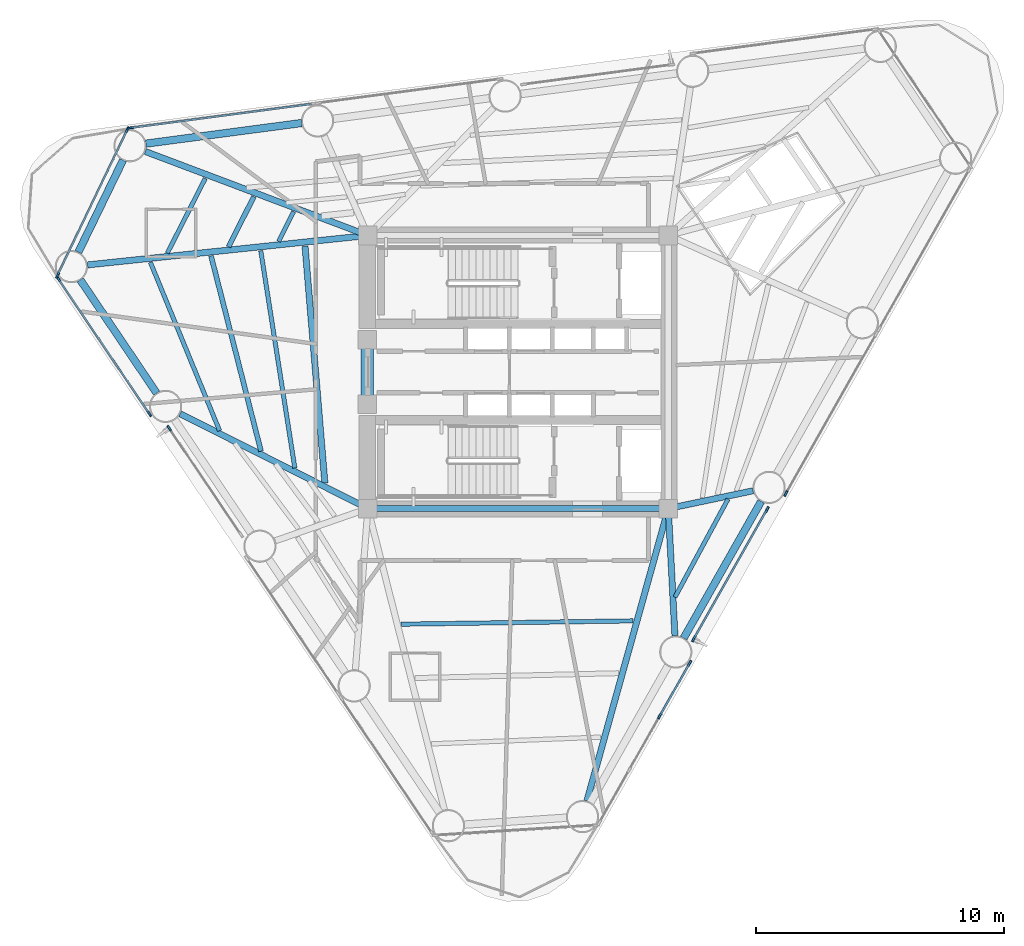
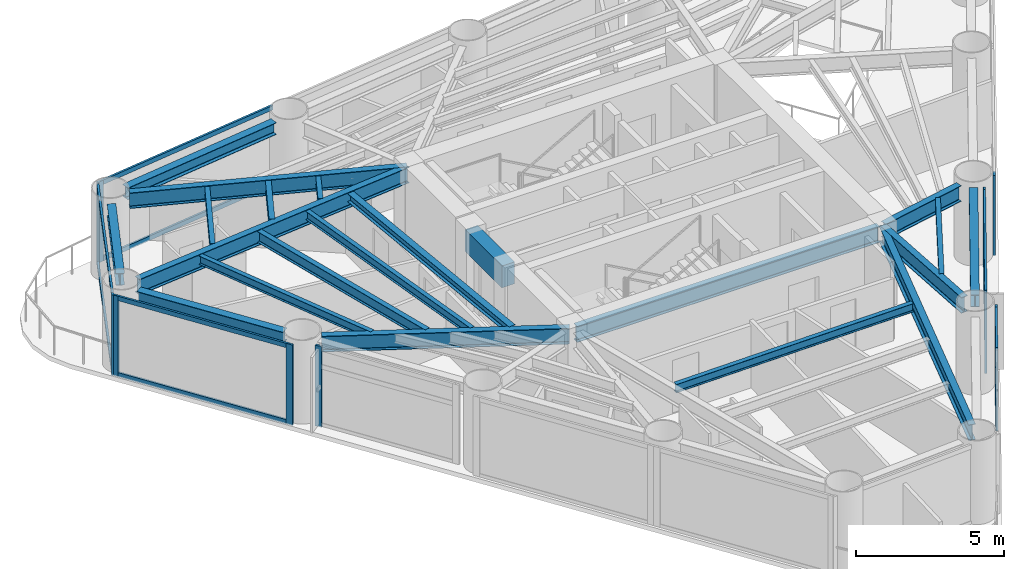
# One storey, part 2 of 10: 23 members, 21 beams, 7 elements without a shape of their own.
"""IFC4 building model written with IfcOpenShell, lengths in metres."""

from ifc_helpers import new_model, si_unit, direction, frame, origin, origin_2d, place, context, subcontext, project, spatial, rectangle, i_section, extrude, source, transform, mapped, material, layer, layer_set, material_profile, profile_set, type_object, element, aggregate, save


model = new_model("IFC4")

# Units and contexts
model_context = context("Model", 3, precision=1e-05, world=origin(), true_north=direction((0.0, 1.0)))
body_context = subcontext(model_context, "Body", "Model", "MODEL_VIEW")
ifc_project = project(units=[si_unit("LENGTHUNIT", "METRE"), si_unit("AREAUNIT", "SQUARE_METRE"), si_unit("VOLUMEUNIT", "CUBIC_METRE"), si_unit("PLANEANGLEUNIT", "RADIAN"), si_unit("MASSUNIT", "GRAM", prefix="KILO")], contexts=[model_context])

# Site, building, storey
site_placement = place(None, origin())
site = spatial("IfcSite", under=ifc_project, at=site_placement, CompositionType="ELEMENT")
building_placement = place(site_placement, origin())
building = spatial("IfcBuilding", under=site, at=building_placement, Name="Yunling Apex Tower", CompositionType="ELEMENT")
storey_placement = place(building_placement, frame((0.0, 0.0, 182.89990234375)))
storey = spatial("IfcBuildingStorey", under=building, at=storey_placement, Name="L45", CompositionType="ELEMENT", Elevation=182.89990234375)

# Beams
ifc_material_1 = material(Name="Concrete C50", Category="concrete")
ifc_material_profile_1 = material_profile(ifc_material_1, rectangle(XDim=0.5, YDim=0.89990234375, at=origin_2d()))
ifc_profile_set_1 = profile_set([ifc_material_profile_1], Name="Concrete C50")
beam_type_1 = type_object("IfcBeamType", Name="BC-CPL-2", PredefinedType="BEAM", material=ifc_profile_set_1)
shared_shape_1 = source(origin(), body_context, "Body", "SweptSolid", [
    extrude(rectangle(XDim=0.5, YDim=0.89990234375, at=origin_2d()), origin(), (0.0, 0.0, 1.0), 2.5),
])
beam_1_placement = place(storey_placement, frame((-6.074951171875, -1.25, 2.780029296875), z_axis=(0.0, 1.0, 0.0), x_axis=(-1.0, 0.0, 0.0)))
element("IfcBeam", 1, at=beam_1_placement, inside=storey, type_object=beam_type_1, Name="L45 Core West Portal Coupling Beam", PredefinedType="BEAM", context=body_context, shape_type="MappedRepresentation", body=[
    mapped(shared_shape_1, transform((0.0, 0.0, 0.0), scale=1.0)),
])
ifc_material_2 = material(Name="Steel Q355B", Category="steel")
ifc_material_profile_2 = material_profile(ifc_material_2, i_section(OverallWidth=0.25, OverallDepth=0.64990234375, WebThickness=0.011962890625, FlangeThickness=0.02001953125, FilletRadius=0.02392578125, at=origin_2d()))
ifc_profile_set_2 = profile_set([ifc_material_profile_2], Name="Steel Q355B")
beam_type_2 = type_object("IfcBeamType", Name="BG-PRI-4", PredefinedType="USERDEFINED", material=ifc_profile_set_2)
shared_shape_2 = source(origin(), body_context, "Body", "SweptSolid", [
    extrude(i_section(OverallWidth=0.25, OverallDepth=0.64990234375, WebThickness=0.011962890625, FlangeThickness=0.02001953125, FilletRadius=0.02392578125, at=origin_2d()), origin(), (0.0, 0.0, 1.0), 11.7998046875),
])
beam_2_placement = place(storey_placement, frame((-5.89990234375, -5.5, 2.905029296875), z_axis=(1.0, 0.0, 0.0), x_axis=(0.0, 1.0, 0.0)))
element("IfcBeam", 2, at=beam_2_placement, inside=storey, type_object=beam_type_2, Name="L45 Core Ring Tie Beam 1", ObjectType="GIRDER", PredefinedType="USERDEFINED", context=body_context, shape_type="MappedRepresentation", body=[
    mapped(shared_shape_2, transform((0.0, 0.0, 0.0), scale=1.0)),
])
ifc_material_profile_3 = material_profile(ifc_material_2, i_section(OverallWidth=0.300048828125, OverallDepth=0.489990234375, WebThickness=0.010986328125, FlangeThickness=0.01806640625, FilletRadius=0.02197265625, at=origin_2d()))
ifc_profile_set_3 = profile_set([ifc_material_profile_3], Name="Steel Q355B")
beam_type_3 = type_object("IfcBeamType", Name="BP-SPN-2", PredefinedType="SPANDREL", material=ifc_profile_set_3)
shared_shape_3 = source(origin(), body_context, "Body", "SweptSolid", [
    extrude(i_section(OverallWidth=0.300048828125, OverallDepth=0.489990234375, WebThickness=0.010986328125, FlangeThickness=0.01806640625, FilletRadius=0.02197265625, at=origin_2d()), origin(), (0.0, 0.0, 1.0), 6.33251953125),
])
for number, where, z_axis, x_axis, name in (
    (3, (6.66943359375, -10.717529296875, 2.985107421875), (0.493030081742, 0.870012263418, 0.0), (-0.870012263418, 0.493030081742, 0.0), "L45 Perimeter Spandrel Beam 2"),
    (4, (-8.715576171875, 10.02978515625, 2.985107421875), (-0.991351373324, -0.131234349957, 0.0), (0.131234349957, -0.991351373324, 0.0), "L45 Perimeter Spandrel Beam 9"),
):
    element("IfcBeam", number, at=place(storey_placement, frame(where, z_axis=z_axis, x_axis=x_axis)), inside=storey, type_object=beam_type_3, Name=name, PredefinedType="SPANDREL", context=body_context, shape_type="MappedRepresentation", body=[
        mapped(shared_shape_3, transform((0.0, 0.0, 0.0), scale=1.0)),
    ])
shared_shape_4 = source(origin(), body_context, "Body", "SweptSolid", [
    extrude(i_section(OverallWidth=0.300048828125, OverallDepth=0.489990234375, WebThickness=0.010986328125, FlangeThickness=0.01806640625, FilletRadius=0.02197265625, at=origin_2d()), origin(), (0.0, 0.0, 1.0), 4.1240234375),
])
beam_3_placement = place(storey_placement, frame((-15.9130859375, 8.534912109375, 2.985107421875), z_axis=(-0.436645295051, -0.899633751206, 0.0), x_axis=(0.899633751206, -0.436645295051, 0.0)))
element("IfcBeam", 5, at=beam_3_placement, inside=storey, type_object=beam_type_3, Name="L45 Perimeter Spandrel Beam 10", PredefinedType="SPANDREL", context=body_context, shape_type="MappedRepresentation", body=[
    mapped(shared_shape_4, transform((0.0, 0.0, 0.0), scale=1.0)),
])
shared_shape_5 = source(origin(), body_context, "Body", "SweptSolid", [
    extrude(i_section(OverallWidth=0.300048828125, OverallDepth=0.489990234375, WebThickness=0.010986328125, FlangeThickness=0.01806640625, FilletRadius=0.02197265625, at=origin_2d()), origin(), (0.0, 0.0, 1.0), 5.5029296875),
])
beam_4_placement = place(storey_placement, frame((-17.635009765625, 3.711181640625, 2.985107421875), z_axis=(0.559227477119, -0.829014251286, 0.0), x_axis=(0.829014251286, 0.559227477119, 0.0)))
element("IfcBeam", 6, at=beam_4_placement, inside=storey, type_object=beam_type_3, Name="L45 Perimeter Spandrel Beam 11", PredefinedType="SPANDREL", context=body_context, shape_type="MappedRepresentation", body=[
    mapped(shared_shape_5, transform((0.0, 0.0, 0.0), scale=1.0)),
])
shared_shape_6 = source(origin(), body_context, "Body", "SweptSolid", [
    extrude(i_section(OverallWidth=0.25, OverallDepth=0.64990234375, WebThickness=0.011962890625, FlangeThickness=0.02001953125, FilletRadius=0.02392578125, at=origin_2d()), origin(), (0.0, 0.0, 1.0), 12.141845703125),
])
beam_5_placement = place(storey_placement, frame((2.771240234375, -17.27392578125, 2.905029296875), z_axis=(0.268272262363, 0.9633431337, 0.0), x_axis=(-0.9633431337, 0.268272262363, 0.0)))
element("IfcBeam", 7, at=beam_5_placement, inside=storey, type_object=beam_type_2, Name="L45 Radial Primary Girder R01", ObjectType="GIRDER", PredefinedType="USERDEFINED", context=body_context, shape_type="MappedRepresentation", body=[
    mapped(shared_shape_6, transform((0.0, 0.0, 0.0), scale=1.0)),
])
shared_shape_7 = source(origin(), body_context, "Body", "SweptSolid", [
    extrude(i_section(OverallWidth=0.25, OverallDepth=0.64990234375, WebThickness=0.011962890625, FlangeThickness=0.02001953125, FilletRadius=0.02392578125, at=origin_2d()), origin(), (0.0, 0.0, 1.0), 5.0478515625),
])
beam_6_placement = place(storey_placement, frame((6.317626953125, -10.620849609375, 2.905029296875), z_axis=(-0.052185671931, 0.998637399482, 0.0), x_axis=(-0.998637399482, -0.052185671931, 0.0)))
element("IfcBeam", 8, at=beam_6_placement, inside=storey, type_object=beam_type_2, Name="L45 Radial Primary Girder R02", ObjectType="GIRDER", PredefinedType="USERDEFINED", context=body_context, shape_type="MappedRepresentation", body=[
    mapped(shared_shape_7, transform((0.0, 0.0, 0.0), scale=1.0)),
])
shared_shape_8 = source(origin(), body_context, "Body", "SweptSolid", [
    extrude(i_section(OverallWidth=0.25, OverallDepth=0.64990234375, WebThickness=0.011962890625, FlangeThickness=0.02001953125, FilletRadius=0.02392578125, at=origin_2d()), origin(), (0.0, 0.0, 1.0), 3.409423828125),
])
beam_7_placement = place(storey_placement, frame((9.465087890625, -4.783203125, 2.905029296875), z_axis=(-0.978668904593, -0.205443849219, 0.0), x_axis=(0.205443849219, -0.978668904593, 0.0)))
element("IfcBeam", 9, at=beam_7_placement, inside=storey, type_object=beam_type_2, Name="L45 Radial Primary Girder R03", ObjectType="GIRDER", PredefinedType="USERDEFINED", context=body_context, shape_type="MappedRepresentation", body=[
    mapped(shared_shape_8, transform((0.0, 0.0, 0.0), scale=1.0)),
])
shared_shape_9 = source(origin(), body_context, "Body", "SweptSolid", [
    extrude(i_section(OverallWidth=0.25, OverallDepth=0.64990234375, WebThickness=0.011962890625, FlangeThickness=0.02001953125, FilletRadius=0.02392578125, at=origin_2d()), origin(), (0.0, 0.0, 1.0), 9.502685546875),
])
beam_8_placement = place(storey_placement, frame((-15.01611328125, 8.882080078125, 2.905029296875), z_axis=(0.935649587533, -0.352930374648, 0.0), x_axis=(0.352930374648, 0.935649587533, 0.0)))
element("IfcBeam", 10, at=beam_8_placement, inside=storey, type_object=beam_type_2, Name="L45 Radial Primary Girder R10", ObjectType="GIRDER", PredefinedType="USERDEFINED", context=body_context, shape_type="MappedRepresentation", body=[
    mapped(shared_shape_9, transform((0.0, 0.0, 0.0), scale=1.0)),
])
shared_shape_10 = source(origin(), body_context, "Body", "SweptSolid", [
    extrude(i_section(OverallWidth=0.25, OverallDepth=0.64990234375, WebThickness=0.011962890625, FlangeThickness=0.02001953125, FilletRadius=0.02392578125, at=origin_2d()), origin(), (0.0, 0.0, 1.0), 11.272705078125),
])
beam_9_placement = place(storey_placement, frame((-17.340576171875, 4.31396484375, 2.905029296875), z_axis=(0.99452726712, 0.104477341825, 0.0), x_axis=(-0.104477341825, 0.99452726712, 0.0)))
element("IfcBeam", 11, at=beam_9_placement, inside=storey, type_object=beam_type_2, Name="L45 Radial Primary Girder R11", ObjectType="GIRDER", PredefinedType="USERDEFINED", context=body_context, shape_type="MappedRepresentation", body=[
    mapped(shared_shape_10, transform((0.0, 0.0, 0.0), scale=1.0)),
])
shared_shape_11 = source(origin(), body_context, "Body", "SweptSolid", [
    extrude(i_section(OverallWidth=0.25, OverallDepth=0.64990234375, WebThickness=0.011962890625, FlangeThickness=0.02001953125, FilletRadius=0.02392578125, at=origin_2d()), origin(), (0.0, 0.0, 1.0), 8.389892578125),
])
beam_10_placement = place(storey_placement, frame((-13.610107421875, -1.681396484375, 2.905029296875), z_axis=(0.892603997322, -0.450841550841, 0.0), x_axis=(0.450841550841, 0.892603997322, 0.0)))
element("IfcBeam", 12, at=beam_10_placement, inside=storey, type_object=beam_type_2, Name="L45 Radial Primary Girder R12", ObjectType="GIRDER", PredefinedType="USERDEFINED", context=body_context, shape_type="MappedRepresentation", body=[
    mapped(shared_shape_11, transform((0.0, 0.0, 0.0), scale=1.0)),
])
ifc_material_profile_4 = material_profile(ifc_material_2, i_section(OverallWidth=0.175048828125, OverallDepth=0.35009765625, WebThickness=0.007080078125, FlangeThickness=0.010986328125, FilletRadius=0.013916015625, at=origin_2d()))
ifc_profile_set_4 = profile_set([ifc_material_profile_4], Name="Steel Q355B")
beam_type_4 = type_object("IfcBeamType", Name="BJ-JST-1", PredefinedType="JOIST", material=ifc_profile_set_4)
shared_shape_12 = source(origin(), body_context, "Body", "SweptSolid", [
    extrude(i_section(OverallWidth=0.175048828125, OverallDepth=0.35009765625, WebThickness=0.007080078125, FlangeThickness=0.010986328125, FilletRadius=0.013916015625, at=origin_2d()), origin(), (0.0, 0.0, 1.0), 4.488525390625),
])
beam_11_placement = place(storey_placement, frame((6.31982421875, -9.068603515625, 3.05517578125), z_axis=(0.475594391265, 0.87966469464, 0.0), x_axis=(-0.87966469464, 0.475594391265, 0.0)))
element("IfcBeam", 13, at=beam_11_placement, inside=storey, type_object=beam_type_4, Name="L45 Composite Floor Joist BJ1-2", PredefinedType="JOIST", context=body_context, shape_type="MappedRepresentation", body=[
    mapped(shared_shape_12, transform((0.0, 0.0, 0.0), scale=1.0)),
])
ifc_material_profile_5 = material_profile(ifc_material_2, i_section(OverallWidth=0.199951171875, OverallDepth=0.449951171875, WebThickness=0.009033203125, FlangeThickness=0.013916015625, FilletRadius=0.01806640625, at=origin_2d()))
ifc_profile_set_5 = profile_set([ifc_material_profile_5], Name="Steel Q355B")
beam_type_5 = type_object("IfcBeamType", Name="BS-SEC-3", PredefinedType="BEAM", material=ifc_profile_set_5)
shared_shape_13 = source(origin(), body_context, "Body", "SweptSolid", [
    extrude(i_section(OverallWidth=0.199951171875, OverallDepth=0.449951171875, WebThickness=0.009033203125, FlangeThickness=0.013916015625, FilletRadius=0.01806640625, at=origin_2d()), origin(), (0.0, 0.0, 1.0), 2.260498046875),
])
beam_12_placement = place(storey_placement, frame((-10.642578125, 7.0625, 3.005126953125), z_axis=(-0.451356210078, -0.892343864003, 0.0), x_axis=(0.892343864003, -0.451356210078, 0.0)))
element("IfcBeam", 14, at=beam_12_placement, inside=storey, type_object=beam_type_5, Name="L45 Composite Floor Beam BS-10", PredefinedType="BEAM", context=body_context, shape_type="MappedRepresentation", body=[
    mapped(shared_shape_13, transform((0.0, 0.0, 0.0), scale=1.0)),
])
shared_shape_14 = source(origin(), body_context, "Body", "SweptSolid", [
    extrude(i_section(OverallWidth=0.175048828125, OverallDepth=0.35009765625, WebThickness=0.007080078125, FlangeThickness=0.010986328125, FilletRadius=0.013916015625, at=origin_2d()), origin(), (0.0, 0.0, 1.0), 3.380126953125),
])
beam_13_placement = place(storey_placement, frame((-12.59912109375, 7.80029296875, 3.05517578125), z_axis=(-0.452665854376, -0.891680225351, 0.0), x_axis=(0.891680225351, -0.452665854376, 0.0)))
element("IfcBeam", 15, at=beam_13_placement, inside=storey, type_object=beam_type_4, Name="L45 Composite Floor Joist BJ1-10", PredefinedType="JOIST", context=body_context, shape_type="MappedRepresentation", body=[
    mapped(shared_shape_14, transform((0.0, 0.0, 0.0), scale=1.0)),
])
shared_shape_15 = source(origin(), body_context, "Body", "SweptSolid", [
    extrude(i_section(OverallWidth=0.175048828125, OverallDepth=0.35009765625, WebThickness=0.007080078125, FlangeThickness=0.010986328125, FilletRadius=0.013916015625, at=origin_2d()), origin(), (0.0, 0.0, 1.0), 1.34375),
])
beam_14_placement = place(storey_placement, frame((-9.0419921875, 6.45849609375, 3.05517578125), z_axis=(-0.448956972961, -0.893553376374, 0.0), x_axis=(0.893553376374, -0.448956972961, 0.0)))
element("IfcBeam", 16, at=beam_14_placement, inside=storey, type_object=beam_type_4, Name="L45 Composite Floor Joist BJ3-10", PredefinedType="JOIST", context=body_context, shape_type="MappedRepresentation", body=[
    mapped(shared_shape_15, transform((0.0, 0.0, 0.0), scale=1.0)),
])
shared_shape_16 = source(origin(), body_context, "Body", "SweptSolid", [
    extrude(i_section(OverallWidth=0.199951171875, OverallDepth=0.449951171875, WebThickness=0.009033203125, FlangeThickness=0.013916015625, FilletRadius=0.01806640625, at=origin_2d()), origin(), (0.0, 0.0, 1.0), 8.121337890625),
])
beam_15_placement = place(storey_placement, frame((-12.3681640625, 4.677001953125, 3.005126953125), z_axis=(0.247914612688, -0.968781887122, 0.0), x_axis=(0.968781887122, 0.247914612688, 0.0)))
element("IfcBeam", 17, at=beam_15_placement, inside=storey, type_object=beam_type_5, Name="L45 Composite Floor Beam BS-11", PredefinedType="BEAM", context=body_context, shape_type="MappedRepresentation", body=[
    mapped(shared_shape_16, transform((0.0, 0.0, 0.0), scale=1.0)),
])
shared_shape_17 = source(origin(), body_context, "Body", "SweptSolid", [
    extrude(i_section(OverallWidth=0.175048828125, OverallDepth=0.35009765625, WebThickness=0.007080078125, FlangeThickness=0.010986328125, FilletRadius=0.013916015625, at=origin_2d()), origin(), (0.0, 0.0, 1.0), 7.34130859375),
])
beam_16_placement = place(storey_placement, frame((-14.8134765625, 4.425048828125, 3.05517578125), z_axis=(0.380043851262, -0.924968470337, 0.0), x_axis=(0.924968470337, 0.380043851262, 0.0)))
element("IfcBeam", 18, at=beam_16_placement, inside=storey, type_object=beam_type_4, Name="L45 Composite Floor Joist BJ1-11", PredefinedType="JOIST", context=body_context, shape_type="MappedRepresentation", body=[
    mapped(shared_shape_17, transform((0.0, 0.0, 0.0), scale=1.0)),
])
shared_shape_18 = source(origin(), body_context, "Body", "SweptSolid", [
    extrude(i_section(OverallWidth=0.175048828125, OverallDepth=0.35009765625, WebThickness=0.007080078125, FlangeThickness=0.010986328125, FilletRadius=0.013916015625, at=origin_2d()), origin(), (0.0, 0.0, 1.0), 8.861328125),
])
beam_17_placement = place(storey_placement, frame((-10.364990234375, 4.885986328125, 3.05517578125), z_axis=(0.154946679134, -0.987922834348, 0.0), x_axis=(0.987922834348, 0.154946679134, 0.0)))
element("IfcBeam", 19, at=beam_17_placement, inside=storey, type_object=beam_type_4, Name="L45 Composite Floor Joist BJ3-11", PredefinedType="JOIST", context=body_context, shape_type="MappedRepresentation", body=[
    mapped(shared_shape_18, transform((0.0, 0.0, 0.0), scale=1.0)),
])
ifc_material_profile_6 = material_profile(ifc_material_2, i_section(OverallWidth=0.25, OverallDepth=0.340087890625, WebThickness=0.009033203125, FlangeThickness=0.013916015625, FilletRadius=0.01806640625, at=origin_2d()))
ifc_profile_set_6 = profile_set([ifc_material_profile_6], Name="Steel Q355B")
beam_type_6 = type_object("IfcBeamType", Name="BJ-JST-2", PredefinedType="JOIST", material=ifc_profile_set_6)
shared_shape_19 = source(origin(), body_context, "Body", "SweptSolid", [
    extrude(i_section(OverallWidth=0.25, OverallDepth=0.340087890625, WebThickness=0.009033203125, FlangeThickness=0.013916015625, FilletRadius=0.01806640625, at=origin_2d()), origin(), (0.0, 0.0, 1.0), 9.578857421875),
])
beam_18_placement = place(storey_placement, frame((-8.582763671875, 5.072998046875, 3.06005859375), z_axis=(0.083572791263, -0.996501675142, 0.0), x_axis=(0.996501675142, 0.083572791263, 0.0)))
element("IfcBeam", 20, at=beam_18_placement, inside=storey, type_object=beam_type_6, Name="L45 Composite Floor Joist BJ2-11", PredefinedType="JOIST", context=body_context, shape_type="MappedRepresentation", body=[
    mapped(shared_shape_19, transform((0.0, 0.0, 0.0), scale=1.0)),
])
shared_shape_20 = source(origin(), body_context, "Body", "SweptSolid", [
    extrude(i_section(OverallWidth=0.175048828125, OverallDepth=0.35009765625, WebThickness=0.007080078125, FlangeThickness=0.010986328125, FilletRadius=0.013916015625, at=origin_2d()), origin(), (0.0, 0.0, 1.0), 9.337890625),
])
beam_19_placement = place(storey_placement, frame((-4.706298828125, -10.157958984375, 3.05517578125), z_axis=(0.99989735504, 0.014327574275, 0.0), x_axis=(-0.014327574275, 0.99989735504, 0.0)))
element("IfcBeam", 21, at=beam_19_placement, inside=storey, type_object=beam_type_4, Name="L45 Composite Floor Joist BJ3-15", PredefinedType="JOIST", context=body_context, shape_type="MappedRepresentation", body=[
    mapped(shared_shape_20, transform((0.0, 0.0, 0.0), scale=1.0)),
])

# Curtain wall, members
ifc_material_3 = material(Name="Bronze anodised aluminium", Category="aluminium")
ifc_layer = layer(ifc_material_3, 0.239990234375)
ifc_layer_set = layer_set([ifc_layer], Name="Bronze anodised aluminium")
curtain_wall_type = type_object("IfcCurtainWallType", Name="CW-SYS-3", PredefinedType="NOTDEFINED", material=ifc_layer_set)
curtain_wall_1_placement = place(storey_placement, origin())
curtain_wall_1 = element("IfcCurtainWall", 22, at=curtain_wall_1_placement, inside=storey, type_object=curtain_wall_type, Name="CW-L45-F1-B1", PredefinedType="NOTDEFINED")
ifc_material_profile_7 = material_profile(ifc_material_3, rectangle(XDim=0.080078125, YDim=0.18505859375, at=origin_2d()))
ifc_profile_set_7 = profile_set([ifc_material_profile_7], Name="Bronze anodised aluminium")
member_type_1 = type_object("IfcMemberType", Name="CW-TRN-3", PredefinedType="USERDEFINED", material=ifc_profile_set_7)
shared_shape_21 = source(origin(), body_context, "Body", "SweptSolid", [
    extrude(rectangle(XDim=0.080078125, YDim=0.18505859375, at=origin_2d()), origin(), (0.0, 0.0, 1.0), 2.374755859375),
])
member_1_placement = place(storey_placement, frame((5.721923828125, -13.829833984375, 0.0400390625), z_axis=(0.493035916127, 0.870008957085, 0.0), x_axis=(-0.870008957085, 0.493035916127, 0.0)))
member_1 = element("IfcMember", 23, at=member_1_placement, type_object=member_type_1, Name="CW-SYS-3 transom 3.1", ObjectType="TRANSOM", PredefinedType="USERDEFINED", context=body_context, shape_type="MappedRepresentation", body=[
    mapped(shared_shape_21, transform((0.0, 0.0, 0.0), scale=1.0)),
])
member_2_placement = place(storey_placement, frame((5.721923828125, -13.829833984375, 2.454833984375), z_axis=(0.493035916127, 0.870008957085, 0.0), x_axis=(-0.870008957085, 0.493035916127, 0.0)))
member_2 = element("IfcMember", 24, at=member_2_placement, type_object=member_type_1, Name="CW-SYS-3 transom 3.2", ObjectType="TRANSOM", PredefinedType="USERDEFINED", context=body_context, shape_type="MappedRepresentation", body=[
    mapped(shared_shape_21, transform((0.0, 0.0, 0.0), scale=1.0)),
])
member_3_placement = place(storey_placement, frame((5.721923828125, -13.829833984375, 3.190185546875), z_axis=(0.493035916127, 0.870008957085, 0.0), x_axis=(-0.870008957085, 0.493035916127, 0.0)))
member_3 = element("IfcMember", 25, at=member_3_placement, type_object=member_type_1, Name="CW-SYS-3 transom 3.3", ObjectType="TRANSOM", PredefinedType="USERDEFINED", context=body_context, shape_type="MappedRepresentation", body=[
    mapped(shared_shape_21, transform((0.0, 0.0, 0.0), scale=1.0)),
])

curtain_wall_2_placement = place(storey_placement, origin())
curtain_wall_2 = element("IfcCurtainWall", 26, at=curtain_wall_2_placement, inside=storey, type_object=curtain_wall_type, Name="CW-L45-F1-B2", PredefinedType="NOTDEFINED")
shared_shape_22 = source(origin(), body_context, "Body", "SweptSolid", [
    extrude(rectangle(XDim=0.080078125, YDim=0.18505859375, at=origin_2d()), origin(), (0.0, 0.0, 1.0), 5.9287109375),
])
member_4_placement = place(storey_placement, frame((7.0908203125, -10.724365234375, 0.0400390625), z_axis=(0.49304478118, 0.870003933182, 0.0), x_axis=(-0.870003933182, 0.49304478118, 0.0)))
member_4 = element("IfcMember", 27, at=member_4_placement, type_object=member_type_1, Name="CW-SYS-3 transom 1.1", ObjectType="TRANSOM", PredefinedType="USERDEFINED", context=body_context, shape_type="MappedRepresentation", body=[
    mapped(shared_shape_22, transform((0.0, 0.0, 0.0), scale=1.0)),
])
member_5_placement = place(storey_placement, frame((7.0908203125, -10.724365234375, 2.454833984375), z_axis=(0.49304478118, 0.870003933182, 0.0), x_axis=(-0.870003933182, 0.49304478118, 0.0)))
member_5 = element("IfcMember", 28, at=member_5_placement, type_object=member_type_1, Name="CW-SYS-3 transom 1.2", ObjectType="TRANSOM", PredefinedType="USERDEFINED", context=body_context, shape_type="MappedRepresentation", body=[
    mapped(shared_shape_22, transform((0.0, 0.0, 0.0), scale=1.0)),
])
member_6_placement = place(storey_placement, frame((7.0908203125, -10.724365234375, 3.190185546875), z_axis=(0.49304478118, 0.870003933182, 0.0), x_axis=(-0.870003933182, 0.49304478118, 0.0)))
member_6 = element("IfcMember", 29, at=member_6_placement, type_object=member_type_1, Name="CW-SYS-3 transom 1.3", ObjectType="TRANSOM", PredefinedType="USERDEFINED", context=body_context, shape_type="MappedRepresentation", body=[
    mapped(shared_shape_22, transform((0.0, 0.0, 0.0), scale=1.0)),
])

curtain_wall_3_placement = place(storey_placement, origin())
curtain_wall_3 = element("IfcCurtainWall", 30, at=curtain_wall_3_placement, inside=storey, type_object=curtain_wall_type, Name="CW-L45-F2-B4", PredefinedType="NOTDEFINED")
shared_shape_23 = source(origin(), body_context, "Body", "SweptSolid", [
    extrude(rectangle(XDim=0.080078125, YDim=0.18505859375, at=origin_2d()), origin(), (0.0, 0.0, 1.0), 7.30859375),
])
member_7_placement = place(storey_placement, frame((-8.324951171875, 10.797607421875, 0.0400390625), z_axis=(-0.991354063091, -0.131214029714, 0.0), x_axis=(0.131214029714, -0.991354063091, 0.0)))
member_7 = element("IfcMember", 31, at=member_7_placement, type_object=member_type_1, Name="CW-SYS-3 transom 1.1", ObjectType="TRANSOM", PredefinedType="USERDEFINED", context=body_context, shape_type="MappedRepresentation", body=[
    mapped(shared_shape_23, transform((0.0, 0.0, 0.0), scale=1.0)),
])
member_8_placement = place(storey_placement, frame((-8.324951171875, 10.797607421875, 3.190185546875), z_axis=(-0.991354063091, -0.131214029714, 0.0), x_axis=(0.131214029714, -0.991354063091, 0.0)))
member_8 = element("IfcMember", 32, at=member_8_placement, type_object=member_type_1, Name="CW-SYS-3 transom 1.2", ObjectType="TRANSOM", PredefinedType="USERDEFINED", context=body_context, shape_type="MappedRepresentation", body=[
    mapped(shared_shape_23, transform((0.0, 0.0, 0.0), scale=1.0)),
])

curtain_wall_4_placement = place(storey_placement, origin())
curtain_wall_4 = element("IfcCurtainWall", 33, at=curtain_wall_4_placement, inside=storey, type_object=curtain_wall_type, Name="CW-L45-CRN2", PredefinedType="NOTDEFINED")
shared_shape_24 = source(origin(), body_context, "Body", "SweptSolid", [
    extrude(rectangle(XDim=0.080078125, YDim=0.18505859375, at=origin_2d()), origin(), (0.0, 0.0, 1.0), 6.43310546875),
])
member_9_placement = place(storey_placement, frame((-15.755126953125, 9.729736328125, 0.0400390625), z_axis=(-0.431999289768, -0.901873945538, 0.0), x_axis=(0.901873945538, -0.431999289768, 0.0)))
member_9 = element("IfcMember", 34, at=member_9_placement, type_object=member_type_1, Name="CW-SYS-3 transom 1.1", ObjectType="TRANSOM", PredefinedType="USERDEFINED", context=body_context, shape_type="MappedRepresentation", body=[
    mapped(shared_shape_24, transform((0.0, 0.0, 0.0), scale=1.0)),
])
member_10_placement = place(storey_placement, frame((-15.755126953125, 9.729736328125, 3.190185546875), z_axis=(-0.431999289768, -0.901873945538, 0.0), x_axis=(0.901873945538, -0.431999289768, 0.0)))
member_10 = element("IfcMember", 35, at=member_10_placement, type_object=member_type_1, Name="CW-SYS-3 transom 1.2", ObjectType="TRANSOM", PredefinedType="USERDEFINED", context=body_context, shape_type="MappedRepresentation", body=[
    mapped(shared_shape_24, transform((0.0, 0.0, 0.0), scale=1.0)),
])

curtain_wall_5_placement = place(storey_placement, origin())
curtain_wall_5 = element("IfcCurtainWall", 36, at=curtain_wall_5_placement, inside=storey, type_object=curtain_wall_type, Name="CW-L45-F3-B1", PredefinedType="NOTDEFINED")
shared_shape_25 = source(origin(), body_context, "Body", "SweptSolid", [
    extrude(rectangle(XDim=0.080078125, YDim=0.18505859375, at=origin_2d()), origin(), (0.0, 0.0, 1.0), 6.479248046875),
])
member_11_placement = place(storey_placement, frame((-18.496337890625, 3.718994140625, 0.0400390625), z_axis=(0.559179012054, -0.829046942265, 0.0), x_axis=(0.829046942265, 0.559179012054, 0.0)))
member_11 = element("IfcMember", 37, at=member_11_placement, type_object=member_type_1, Name="CW-SYS-3 transom 1.1", ObjectType="TRANSOM", PredefinedType="USERDEFINED", context=body_context, shape_type="MappedRepresentation", body=[
    mapped(shared_shape_25, transform((0.0, 0.0, 0.0), scale=1.0)),
])
member_12_placement = place(storey_placement, frame((-18.496337890625, 3.718994140625, 3.190185546875), z_axis=(0.559179012054, -0.829046942265, 0.0), x_axis=(0.829046942265, 0.559179012054, 0.0)))
member_12 = element("IfcMember", 38, at=member_12_placement, type_object=member_type_1, Name="CW-SYS-3 transom 1.2", ObjectType="TRANSOM", PredefinedType="USERDEFINED", context=body_context, shape_type="MappedRepresentation", body=[
    mapped(shared_shape_25, transform((0.0, 0.0, 0.0), scale=1.0)),
])

# Member
ifc_material_profile_8 = material_profile(ifc_material_3, rectangle(XDim=0.080078125, YDim=0.239990234375, at=origin_2d()))
ifc_profile_set_8 = profile_set([ifc_material_profile_8], Name="Bronze anodised aluminium")
member_type_2 = type_object("IfcMemberType", Name="CW-MUL-3", PredefinedType="MULLION", material=ifc_profile_set_8)
shared_shape_26 = source(origin(), body_context, "Body", "SweptSolid", [
    extrude(rectangle(XDim=0.080078125, YDim=0.239990234375, at=origin_2d()), origin(), (0.0, 0.0, 1.0), 3.329833984375),
])
member_13_placement = place(storey_placement, frame((5.7041015625, -13.861083984375, -0.0498046875), z_axis=(0.0, 0.0, 1.0), x_axis=(-0.870006087438, 0.493040979859, 0.0)))
member_13 = element("IfcMember", 39, at=member_13_placement, type_object=member_type_2, Name="CW-SYS-3 mullion 3", PredefinedType="MULLION", context=body_context, shape_type="MappedRepresentation", body=[
    mapped(shared_shape_26, transform((0.0, 0.0, 0.0), scale=1.0)),
])

member_14_placement = place(storey_placement, frame((6.910400390625, -11.732421875, -0.0498046875), z_axis=(0.0, 0.0, 1.0), x_axis=(-0.870006087438, 0.493040979859, 0.0)))
member_14 = element("IfcMember", 40, at=member_14_placement, type_object=member_type_2, Name="CW-SYS-3 mullion 4", PredefinedType="MULLION", context=body_context, shape_type="MappedRepresentation", body=[
    mapped(shared_shape_26, transform((0.0, 0.0, 0.0), scale=1.0)),
])

aggregate(curtain_wall_1, [member_13, member_14, member_1, member_2, member_3])

member_15_placement = place(storey_placement, frame((7.0732421875, -10.755615234375, -0.0498046875), z_axis=(0.0, 0.0, 1.0), x_axis=(-0.87000266867, 0.493047012471, 0.0)))
member_15 = element("IfcMember", 41, at=member_15_placement, type_object=member_type_2, Name="CW-SYS-3 mullion 1", PredefinedType="MULLION", context=body_context, shape_type="MappedRepresentation", body=[
    mapped(shared_shape_26, transform((0.0, 0.0, 0.0), scale=1.0)),
])

member_16_placement = place(storey_placement, frame((10.03173828125, -5.53515625, -0.0498046875), z_axis=(0.0, 0.0, 1.0), x_axis=(-0.87000266867, 0.493047012471, 0.0)))
member_16 = element("IfcMember", 42, at=member_16_placement, type_object=member_type_2, Name="CW-SYS-3 mullion 2", PredefinedType="MULLION", context=body_context, shape_type="MappedRepresentation", body=[
    mapped(shared_shape_26, transform((0.0, 0.0, 0.0), scale=1.0)),
])

aggregate(curtain_wall_2, [member_15, member_16, member_4, member_5, member_6])

# Curtain wall, member
curtain_wall_6_placement = place(storey_placement, origin())
curtain_wall_6 = element("IfcCurtainWall", 43, at=curtain_wall_6_placement, inside=storey, type_object=curtain_wall_type, Name="CW-L45-F1-B3", PredefinedType="NOTDEFINED")
member_17_placement = place(storey_placement, frame((10.785888671875, -4.8935546875, -0.0498046875), z_axis=(0.0, 0.0, 1.0), x_axis=(-0.870009345679, 0.493035230416, 0.0)))
member_17 = element("IfcMember", 44, at=member_17_placement, type_object=member_type_2, Name="CW-SYS-3 mullion 1", PredefinedType="MULLION", context=body_context, shape_type="MappedRepresentation", body=[
    mapped(shared_shape_26, transform((0.0, 0.0, 0.0), scale=1.0)),
])
aggregate(curtain_wall_6, [member_17])

# Member
member_18_placement = place(storey_placement, frame((-15.60595703125, 9.833740234375, -0.0498046875), z_axis=(0.0, 0.0, 1.0), x_axis=(0.131222473138, -0.991352945496, 0.0)))
member_18 = element("IfcMember", 45, at=member_18_placement, type_object=member_type_2, Name="CW-SYS-3 mullion 2", PredefinedType="MULLION", context=body_context, shape_type="MappedRepresentation", body=[
    mapped(shared_shape_26, transform((0.0, 0.0, 0.0), scale=1.0)),
])

aggregate(curtain_wall_3, [member_18, member_7, member_8])

member_19_placement = place(storey_placement, frame((-15.73974609375, 9.76220703125, -0.0498046875), z_axis=(0.0, 0.0, 1.0), x_axis=(0.901876554496, -0.431993843071, 0.0)))
member_19 = element("IfcMember", 46, at=member_19_placement, type_object=member_type_2, Name="CW-SYS-3 mullion 1", PredefinedType="MULLION", context=body_context, shape_type="MappedRepresentation", body=[
    mapped(shared_shape_26, transform((0.0, 0.0, 0.0), scale=1.0)),
])

member_20_placement = place(storey_placement, frame((-18.5498046875, 3.8955078125, -0.0498046875), z_axis=(0.0, 0.0, 1.0), x_axis=(0.901876554496, -0.431993843071, 0.0)))
member_20 = element("IfcMember", 47, at=member_20_placement, type_object=member_type_2, Name="CW-SYS-3 mullion 2", PredefinedType="MULLION", context=body_context, shape_type="MappedRepresentation", body=[
    mapped(shared_shape_26, transform((0.0, 0.0, 0.0), scale=1.0)),
])

aggregate(curtain_wall_4, [member_19, member_20, member_9, member_10])

member_21_placement = place(storey_placement, frame((-18.5166015625, 3.748779296875, -0.0498046875), z_axis=(0.0, 0.0, 1.0), x_axis=(0.829045302692, 0.559181442901, 0.0)))
member_21 = element("IfcMember", 48, at=member_21_placement, type_object=member_type_2, Name="CW-SYS-3 mullion 1", PredefinedType="MULLION", context=body_context, shape_type="MappedRepresentation", body=[
    mapped(shared_shape_26, transform((0.0, 0.0, 0.0), scale=1.0)),
])

member_22_placement = place(storey_placement, frame((-14.853271484375, -1.682373046875, -0.0498046875), z_axis=(0.0, 0.0, 1.0), x_axis=(0.829045302692, 0.559181442901, 0.0)))
member_22 = element("IfcMember", 49, at=member_22_placement, type_object=member_type_2, Name="CW-SYS-3 mullion 2", PredefinedType="MULLION", context=body_context, shape_type="MappedRepresentation", body=[
    mapped(shared_shape_26, transform((0.0, 0.0, 0.0), scale=1.0)),
])

aggregate(curtain_wall_5, [member_21, member_22, member_11, member_12])

# Curtain wall, member
curtain_wall_7_placement = place(storey_placement, origin())
curtain_wall_7 = element("IfcCurtainWall", 50, at=curtain_wall_7_placement, inside=storey, type_object=curtain_wall_type, Name="CW-L45-F3-B2", PredefinedType="NOTDEFINED")
member_23_placement = place(storey_placement, frame((-14.05126953125, -2.263427734375, -0.0498046875), z_axis=(0.0, 0.0, 1.0), x_axis=(0.829026137089, 0.559209856873, 0.0)))
member_23 = element("IfcMember", 51, at=member_23_placement, type_object=member_type_2, Name="CW-SYS-3 mullion 1", PredefinedType="MULLION", context=body_context, shape_type="MappedRepresentation", body=[
    mapped(shared_shape_26, transform((0.0, 0.0, 0.0), scale=1.0)),
])
aggregate(curtain_wall_7, [member_23])

save(model, "model.ifc")
